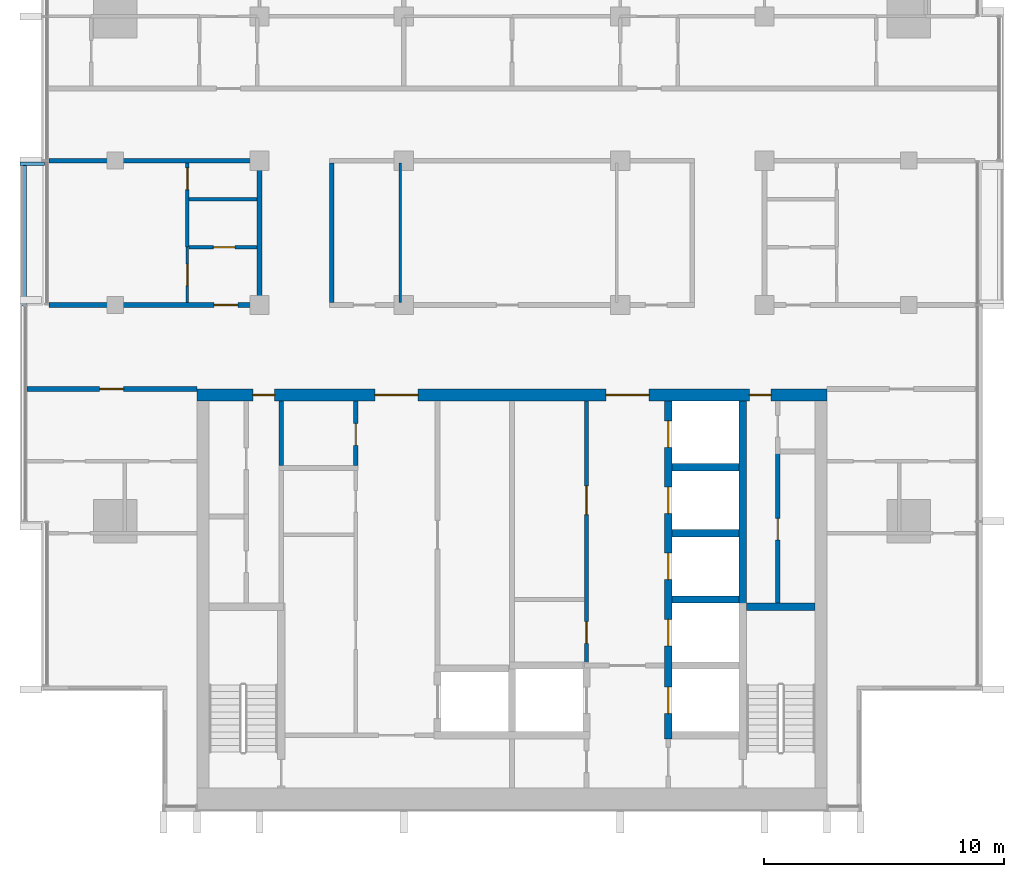
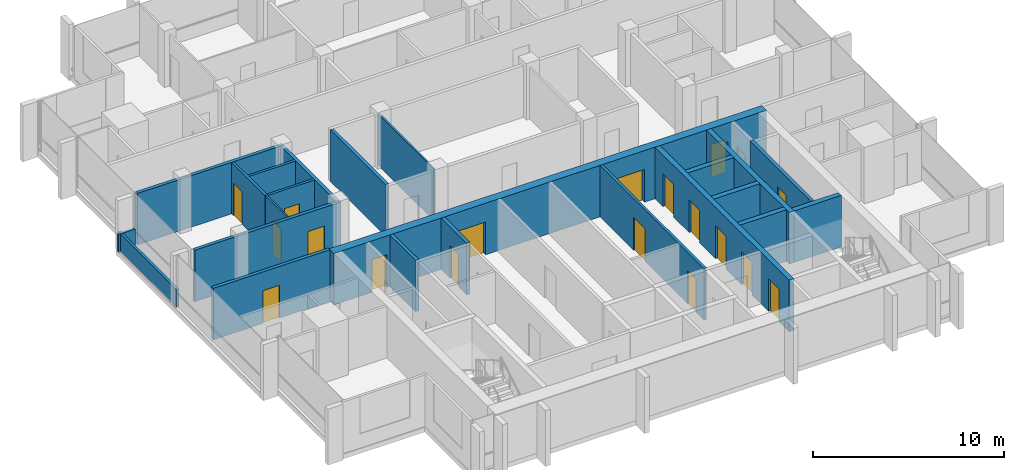
# One storey, part 8 of 16: 23 walls, 18 doors, 18 openings.
"""IFC4 building model written with IfcOpenShell, lengths in metres."""

from ifc_helpers import new_model, si_unit, direction, frame, frame_2d, origin, place, context, subcontext, project, spatial, rectangle, extrude, material, layer, layer_set, type_object, element, fill, save


model = new_model("IFC4")

# Units and contexts
model_context = context("Model", 3, precision=1e-05, world=origin(), true_north=direction((0.0, 1.0)))
body_context = subcontext(model_context, "Body", "Model", "MODEL_VIEW")
ifc_project = project(units=[si_unit("LENGTHUNIT", "METRE"), si_unit("AREAUNIT", "SQUARE_METRE"), si_unit("VOLUMEUNIT", "CUBIC_METRE"), si_unit("PLANEANGLEUNIT", "RADIAN"), si_unit("MASSUNIT", "GRAM", prefix="KILO")], contexts=[model_context])

# Site, building, storey
site_placement = place(None, origin())
site = spatial("IfcSite", under=ifc_project, at=site_placement, CompositionType="ELEMENT")
building_placement = place(site_placement, origin())
building = spatial("IfcBuilding", under=site, at=building_placement, Name="Finial Court Residences", CompositionType="ELEMENT")
storey_placement = place(building_placement, frame((0.0, 0.0, 287.89990234375)))
storey = spatial("IfcBuildingStorey", under=building, at=storey_placement, Name="L73", CompositionType="ELEMENT", Elevation=287.89990234375)

# Wall, openings, doors
ifc_material_1 = material(Name="Concrete C50/60", Category="concrete")
ifc_layer_1 = layer(ifc_material_1, 0.5)
ifc_layer_set_1 = layer_set([ifc_layer_1], Name="Core outer wall 500 Concrete C50/60")
wall_type_1 = type_object("IfcWallType", Name="Core outer wall 500 Concrete C50/60", PredefinedType="SHEAR", material=ifc_layer_set_1)
wall_1_placement = place(storey_placement, frame((-13.10009765625, -8.25, 0.0), z_axis=(0.0, 0.0, 1.0), x_axis=(1.0, 0.0, 0.0)))
wall_1 = element("IfcWall", 1, at=wall_1_placement, inside=storey, type_object=wall_type_1, Name="Core outer wall L73-02", PredefinedType="SHEAR", context=body_context, shape_type="SweptSolid", body=[
    extrude(rectangle(XDim=26.2001953125, YDim=0.5, at=frame_2d((13.10009765625, 0.0))), origin(), (0.0, 0.0, 1.0), 3.300048828125),
])
opening_1_placement = place(wall_1_placement, frame((7.39990234375, 0.0, 0.0)))
opening_1 = element("IfcOpeningElement", 2, at=opening_1_placement, cuts=wall_1, Name="Opening L73-C04", PredefinedType="OPENING", context=body_context, shape_type="SweptSolid", body=[
    extrude(rectangle(XDim=1.800048828125, YDim=2.10009765625, at=frame_2d((0.89990234375, 1.050048828125))), frame((0.0, 0.260009765625, 0.0), z_axis=(0.0, -1.0, 0.0), x_axis=(1.0, 0.0, 0.0)), (0.0, 0.0, 1.0), 0.52001953125),
])
opening_2_placement = place(wall_1_placement, frame((17.0, 0.0, 0.0)))
opening_2 = element("IfcOpeningElement", 3, at=opening_2_placement, cuts=wall_1, Name="Opening L73-C05", PredefinedType="OPENING", context=body_context, shape_type="SweptSolid", body=[
    extrude(rectangle(XDim=1.800048828125, YDim=2.10009765625, at=frame_2d((0.89990234375, 1.050048828125))), frame((0.0, 0.260009765625, 0.0), z_axis=(0.0, -1.0, 0.0), x_axis=(1.0, 0.0, 0.0)), (0.0, 0.0, 1.0), 0.52001953125),
])
opening_3_placement = place(wall_1_placement, frame((2.324951171875, 0.0, 0.0)))
opening_3 = element("IfcOpeningElement", 4, at=opening_3_placement, cuts=wall_1, Name="Opening L73-C11", PredefinedType="OPENING", context=body_context, shape_type="SweptSolid", body=[
    extrude(rectangle(XDim=0.89990234375, YDim=2.10009765625, at=frame_2d((0.449951171875, 1.050048828125))), frame((0.0, 0.260009765625, 0.0), z_axis=(0.0, -1.0, 0.0), x_axis=(1.0, 0.0, 0.0)), (0.0, 0.0, 1.0), 0.52001953125),
])
opening_4_placement = place(wall_1_placement, frame((22.97509765625, 0.0, 0.0)))
opening_4 = element("IfcOpeningElement", 5, at=opening_4_placement, cuts=wall_1, Name="Opening L73-C12", PredefinedType="OPENING", context=body_context, shape_type="SweptSolid", body=[
    extrude(rectangle(XDim=0.89990234375, YDim=2.10009765625, at=frame_2d((0.449951171875, 1.050048828125))), frame((0.0, 0.260009765625, 0.0), z_axis=(0.0, -1.0, 0.0), x_axis=(1.0, 0.0, 0.0)), (0.0, 0.0, 1.0), 0.52001953125),
])
ifc_material_2 = material(Name="Steel fire door", Category="steel")
door_type_1 = type_object("IfcDoorType", Name="Lift lobby door 1800 x 2100 EI 60", OperationType="DOUBLE_DOOR_SINGLE_SWING", PredefinedType="DOOR", material=ifc_material_2)
door_1_placement = place(opening_1_placement, origin())
door_1 = element("IfcDoor", 6, at=door_1_placement, inside=storey, type_object=door_type_1, Name="Lift lobby door L73-C04", OperationType="DOUBLE_DOOR_SINGLE_SWING", OverallHeight=2.10009765625, OverallWidth=1.800048828125, PredefinedType="DOOR", context=body_context, shape_type="SweptSolid", body=[
    extrude(rectangle(XDim=1.800048828125, YDim=2.10009765625, at=frame_2d((0.89990234375, 1.050048828125))), frame((0.0, 0.02490234375, 0.0), z_axis=(0.0, -1.0, 0.0), x_axis=(1.0, 0.0, 0.0)), (0.0, 0.0, 1.0), 0.050048828125),
])
fill(opening_1, door_1)
door_2_placement = place(opening_2_placement, origin())
door_2 = element("IfcDoor", 7, at=door_2_placement, inside=storey, type_object=door_type_1, Name="Lift lobby door L73-C05", OperationType="DOUBLE_DOOR_SINGLE_SWING", OverallHeight=2.10009765625, OverallWidth=1.800048828125, PredefinedType="DOOR", context=body_context, shape_type="SweptSolid", body=[
    extrude(rectangle(XDim=1.800048828125, YDim=2.10009765625, at=frame_2d((0.89990234375, 1.050048828125))), frame((0.0, 0.02490234375, 0.0), z_axis=(0.0, -1.0, 0.0), x_axis=(1.0, 0.0, 0.0)), (0.0, 0.0, 1.0), 0.050048828125),
])
fill(opening_2, door_2)
door_type_2 = type_object("IfcDoorType", Name="Riser room door 900 x 2100 EI 90", OperationType="NOTDEFINED", PredefinedType="DOOR", material=ifc_material_2)
door_3_placement = place(opening_3_placement, origin())
door_3 = element("IfcDoor", 8, at=door_3_placement, inside=storey, type_object=door_type_2, Name="Riser room door L73-C11", OperationType="SINGLE_SWING_RIGHT", OverallHeight=2.10009765625, OverallWidth=0.89990234375, PredefinedType="DOOR", context=body_context, shape_type="SweptSolid", body=[
    extrude(rectangle(XDim=0.89990234375, YDim=2.10009765625, at=frame_2d((0.449951171875, 1.050048828125))), frame((0.0, 0.02490234375, 0.0), z_axis=(0.0, -1.0, 0.0), x_axis=(1.0, 0.0, 0.0)), (0.0, 0.0, 1.0), 0.050048828125),
])
fill(opening_3, door_3)
door_4_placement = place(opening_4_placement, origin())
door_4 = element("IfcDoor", 9, at=door_4_placement, inside=storey, type_object=door_type_2, Name="Riser room door L73-C12", OperationType="SINGLE_SWING_LEFT", OverallHeight=2.10009765625, OverallWidth=0.89990234375, PredefinedType="DOOR", context=body_context, shape_type="SweptSolid", body=[
    extrude(rectangle(XDim=0.89990234375, YDim=2.10009765625, at=frame_2d((0.449951171875, 1.050048828125))), frame((0.0, 0.02490234375, 0.0), z_axis=(0.0, -1.0, 0.0), x_axis=(1.0, 0.0, 0.0)), (0.0, 0.0, 1.0), 0.050048828125),
])
fill(opening_4, door_4)

ifc_material_3 = material(Name="Fire-rated gypsum board partition")
ifc_layer_2 = layer(ifc_material_3, 0.14990234375)
ifc_layer_set_2 = layer_set([ifc_layer_2], Name="Core room partition 150 EI 60")
wall_type_2 = type_object("IfcWallType", Name="Core room partition 150 EI 60", PredefinedType="PARTITIONING", material=ifc_layer_set_2)
wall_2_placement = place(storey_placement, frame((3.10009765625, -19.39990234375, 0.0), z_axis=(0.0, 0.0, 1.0), x_axis=(0.0, 1.0, 0.0)))
wall_2 = element("IfcWall", 10, at=wall_2_placement, inside=storey, type_object=wall_type_2, Name="Core partition L73-32", PredefinedType="PARTITIONING", context=body_context, shape_type="SweptSolid", body=[
    extrude(rectangle(XDim=10.89990234375, YDim=0.14990234375, at=frame_2d((5.449951171875, 0.0))), origin(), (0.0, 0.0, 1.0), 3.300048828125),
])
opening_5_placement = place(wall_2_placement, frame((0.824951171875, 0.0, 0.0)))
opening_5 = element("IfcOpeningElement", 11, at=opening_5_placement, cuts=wall_2, Name="Opening L73-C17", PredefinedType="OPENING", context=body_context, shape_type="SweptSolid", body=[
    extrude(rectangle(XDim=0.89990234375, YDim=2.10009765625, at=frame_2d((0.449951171875, 1.050048828125))), frame((0.0, 0.0849609375, 0.0), z_axis=(0.0, -1.0, 0.0), x_axis=(1.0, 0.0, 0.0)), (0.0, 0.0, 1.0), 0.169921875),
])
opening_6_placement = place(wall_2_placement, frame((6.175048828125, 0.0, 0.0)))
opening_6 = element("IfcOpeningElement", 12, at=opening_6_placement, cuts=wall_2, Name="Opening L73-C18", PredefinedType="OPENING", context=body_context, shape_type="SweptSolid", body=[
    extrude(rectangle(XDim=1.199951171875, YDim=2.10009765625, at=frame_2d((0.60009765625, 1.050048828125))), frame((0.0, 0.0849609375, 0.0), z_axis=(0.0, -1.0, 0.0), x_axis=(1.0, 0.0, 0.0)), (0.0, 0.0, 1.0), 0.169921875),
])
door_type_3 = type_object("IfcDoorType", Name="Core room door 1200 x 2100 EI 60", OperationType="NOTDEFINED", PredefinedType="DOOR", material=ifc_material_2)
door_5_placement = place(opening_6_placement, origin())
door_5 = element("IfcDoor", 13, at=door_5_placement, inside=storey, type_object=door_type_3, Name="Core room door L73-C18", OperationType="SINGLE_SWING_LEFT", OverallHeight=2.10009765625, OverallWidth=1.199951171875, PredefinedType="DOOR", context=body_context, shape_type="SweptSolid", body=[
    extrude(rectangle(XDim=1.199951171875, YDim=2.10009765625, at=frame_2d((0.60009765625, 1.050048828125))), frame((0.0, 0.02490234375, 0.0), z_axis=(0.0, -1.0, 0.0), x_axis=(1.0, 0.0, 0.0)), (0.0, 0.0, 1.0), 0.050048828125),
])
fill(opening_6, door_5)
door_type_4 = type_object("IfcDoorType", Name="Core room door 900 x 2100 EI 60", OperationType="NOTDEFINED", PredefinedType="DOOR", material=ifc_material_2)
door_6_placement = place(opening_5_placement, origin())
door_6 = element("IfcDoor", 14, at=door_6_placement, inside=storey, type_object=door_type_4, Name="Core room door L73-C17", OperationType="SINGLE_SWING_LEFT", OverallHeight=2.10009765625, OverallWidth=0.89990234375, PredefinedType="DOOR", context=body_context, shape_type="SweptSolid", body=[
    extrude(rectangle(XDim=0.89990234375, YDim=2.10009765625, at=frame_2d((0.449951171875, 1.050048828125))), frame((0.0, 0.02490234375, 0.0), z_axis=(0.0, -1.0, 0.0), x_axis=(1.0, 0.0, 0.0)), (0.0, 0.0, 1.0), 0.050048828125),
])
fill(opening_5, door_6)

# Wall, opening, door
ifc_material_4 = material(Name="Gypsum board")
ifc_layer_3 = layer(ifc_material_4, 0.02490234375)
ifc_material_5 = material(Name="Acoustic mineral wool in double frame")
ifc_layer_4 = layer(ifc_material_5, 0.14990234375)
ifc_layer_5 = layer(ifc_material_4, 0.02490234375)
ifc_layer_set_3 = layer_set([ifc_layer_3, ifc_layer_4, ifc_layer_5], Name="Corridor wall 200, 1 hour")
wall_type_3 = type_object("IfcWallType", Name="Corridor wall 200, 1 hour", PredefinedType="PARTITIONING", material=ifc_layer_set_3)
wall_3_placement = place(storey_placement, frame((-20.16259765625, -8.0, 0.0), z_axis=(0.0, 0.0, 1.0), x_axis=(1.0, 0.0, 0.0)))
wall_3 = element("IfcWall", 15, at=wall_3_placement, inside=storey, type_object=wall_type_3, Name="Partition L73-004", PredefinedType="PARTITIONING", context=body_context, shape_type="SweptSolid", body=[
    extrude(rectangle(XDim=7.0625, YDim=0.199951171875, at=frame_2d((3.53125, 0.0))), origin(), (0.0, 0.0, 1.0), 3.300048828125),
])
opening_7_placement = place(wall_3_placement, frame((3.012939453125, 0.0, 0.0)))
opening_7 = element("IfcOpeningElement", 16, at=opening_7_placement, cuts=wall_3, Name="Opening L73-D007", PredefinedType="OPENING", context=body_context, shape_type="SweptSolid", body=[
    extrude(rectangle(XDim=1.0, YDim=2.10009765625, at=frame_2d((0.5, 1.050048828125))), frame((0.0, 0.10986328125, 0.0), z_axis=(0.0, -1.0, 0.0), x_axis=(1.0, 0.0, 0.0)), (0.0, 0.0, 1.0), 0.219970703125),
])
ifc_material_6 = material(Name="Timber door leaf in hollow metal frame", Category="wood")
door_type_5 = type_object("IfcDoorType", Name="Fire door set 1000 x 2100, 30 minutes", OperationType="SINGLE_SWING_LEFT", PredefinedType="DOOR", material=ifc_material_6)
door_7_placement = place(opening_7_placement, origin())
door_7 = element("IfcDoor", 17, at=door_7_placement, inside=storey, type_object=door_type_5, Name="Door L73-D007", OperationType="SINGLE_SWING_LEFT", OverallHeight=2.10009765625, OverallWidth=1.0, PredefinedType="DOOR", context=body_context, shape_type="SweptSolid", body=[
    extrude(rectangle(XDim=1.0, YDim=2.10009765625, at=frame_2d((0.5, 1.050048828125))), frame((0.0, 0.02490234375, 0.0), z_axis=(0.0, -1.0, 0.0), x_axis=(1.0, 0.0, 0.0)), (0.0, 0.0, 1.0), 0.050048828125),
])
fill(opening_7, door_7)

wall_4_placement = place(storey_placement, frame((-19.262451171875, -4.5, 0.0), z_axis=(0.0, 0.0, 1.0), x_axis=(1.0, 0.0, 0.0)))
wall_4 = element("IfcWall", 18, at=wall_4_placement, inside=storey, type_object=wall_type_3, Name="Partition L73-006", PredefinedType="PARTITIONING", context=body_context, shape_type="SweptSolid", body=[
    extrude(rectangle(XDim=8.862548828125, YDim=0.199951171875, at=frame_2d((4.43115234375, 0.0))), origin(), (0.0, 0.0, 1.0), 3.300048828125),
])
opening_8_placement = place(wall_4_placement, frame((6.862060546875, 0.0, 0.0)))
opening_8 = element("IfcOpeningElement", 19, at=opening_8_placement, cuts=wall_4, Name="Opening L73-D009", PredefinedType="OPENING", context=body_context, shape_type="SweptSolid", body=[
    extrude(rectangle(XDim=1.0, YDim=2.10009765625, at=frame_2d((0.5, 1.050048828125))), frame((0.0, 0.10986328125, 0.0), z_axis=(0.0, -1.0, 0.0), x_axis=(1.0, 0.0, 0.0)), (0.0, 0.0, 1.0), 0.219970703125),
])
door_8_placement = place(opening_8_placement, origin())
door_8 = element("IfcDoor", 20, at=door_8_placement, inside=storey, type_object=door_type_5, Name="Door L73-D009", OperationType="SINGLE_SWING_LEFT", OverallHeight=2.10009765625, OverallWidth=1.0, PredefinedType="DOOR", context=body_context, shape_type="SweptSolid", body=[
    extrude(rectangle(XDim=1.0, YDim=2.10009765625, at=frame_2d((0.5, 1.050048828125))), frame((0.0, 0.02490234375, 0.0), z_axis=(0.0, -1.0, 0.0), x_axis=(1.0, 0.0, 0.0)), (0.0, 0.0, 1.0), 0.050048828125),
])
fill(opening_8, door_8)

# Walls
wall_5_placement = place(storey_placement, frame((-19.262451171875, 1.5, 0.0), z_axis=(0.0, 0.0, 1.0), x_axis=(1.0, 0.0, 0.0)))
element("IfcWall", 21, at=wall_5_placement, inside=storey, type_object=wall_type_3, Name="Partition L73-013", PredefinedType="PARTITIONING", context=body_context, shape_type="SweptSolid", body=[
    extrude(rectangle(XDim=8.862548828125, YDim=0.199951171875, at=frame_2d((4.43115234375, 0.0))), origin(), (0.0, 0.0, 1.0), 3.300048828125),
])
for number, where, z_axis, x_axis, name in (
    (22, (-10.5, -4.39990234375, 0.0), (0.0, 0.0, 1.0), (0.0, 1.0, 0.0), "Partition L73-036"),
    (23, (-7.5, -4.39990234375, 0.0), (0.0, 0.0, 1.0), (0.0, 1.0, 0.0), "Partition L73-038"),
):
    element("IfcWall", number, at=place(storey_placement, frame(where, z_axis=z_axis, x_axis=x_axis)), inside=storey, type_object=wall_type_3, Name=name, PredefinedType="PARTITIONING", context=body_context, shape_type="SweptSolid", body=[
        extrude(rectangle(XDim=5.7998046875, YDim=0.199951171875, at=frame_2d((2.89990234375, 0.0))), origin(), (0.0, 0.0, 1.0), 3.300048828125),
    ])

# Wall, opening, door
ifc_layer_6 = layer(ifc_material_4, 0.012451171875)
ifc_material_7 = material(Name="Mineral wool in light-gauge frame")
ifc_layer_7 = layer(ifc_material_7, 0.074951171875)
ifc_layer_8 = layer(ifc_material_4, 0.012451171875)
ifc_layer_set_4 = layer_set([ifc_layer_6, ifc_layer_7, ifc_layer_8], Name="Gypsum board partition 100")
wall_type_4 = type_object("IfcWallType", Name="Gypsum board partition 100", PredefinedType="PARTITIONING", material=ifc_layer_set_4)
wall_6_placement = place(storey_placement, frame((-13.5, -4.39990234375, 0.0), z_axis=(0.0, 0.0, 1.0), x_axis=(0.0, 1.0, 0.0)))
wall_6 = element("IfcWall", 24, at=wall_6_placement, inside=storey, type_object=wall_type_4, Name="Partition L73-032", PredefinedType="PARTITIONING", context=body_context, shape_type="SweptSolid", body=[
    extrude(rectangle(XDim=2.2998046875, YDim=0.10009765625, at=frame_2d((1.14990234375, 0.0))), origin(), (0.0, 0.0, 1.0), 3.300048828125),
])
opening_9_placement = place(wall_6_placement, frame((0.699951171875, 0.0, 0.0)))
opening_9 = element("IfcOpeningElement", 25, at=opening_9_placement, cuts=wall_6, Name="Opening L73-D024", PredefinedType="OPENING", context=body_context, shape_type="SweptSolid", body=[
    extrude(rectangle(XDim=0.89990234375, YDim=2.10009765625, at=frame_2d((0.449951171875, 1.050048828125))), frame((0.0, 0.06005859375, 0.0), z_axis=(0.0, -1.0, 0.0), x_axis=(1.0, 0.0, 0.0)), (0.0, 0.0, 1.0), 0.1201171875),
])
ifc_material_8 = material(Name="Timber door leaf in timber frame", Category="wood")
door_type_6 = type_object("IfcDoorType", Name="Door set 900 x 2100", OperationType="SINGLE_SWING_LEFT", PredefinedType="DOOR", material=ifc_material_8)
door_9_placement = place(opening_9_placement, origin())
door_9 = element("IfcDoor", 26, at=door_9_placement, inside=storey, type_object=door_type_6, Name="Door L73-D024", OperationType="SINGLE_SWING_RIGHT", OverallHeight=2.10009765625, OverallWidth=0.89990234375, PredefinedType="DOOR", context=body_context, shape_type="SweptSolid", body=[
    extrude(rectangle(XDim=0.89990234375, YDim=2.10009765625, at=frame_2d((0.449951171875, 1.050048828125))), frame((0.0, 0.02490234375, 0.0), z_axis=(0.0, -1.0, 0.0), x_axis=(1.0, 0.0, 0.0)), (0.0, 0.0, 1.0), 0.050048828125),
])
fill(opening_9, door_9)

# Wall
wall_7_placement = place(storey_placement, frame((-4.64990234375, -4.39990234375, 0.0), z_axis=(0.0, 0.0, 1.0), x_axis=(0.0, 1.0, 0.0)))
element("IfcWall", 27, at=wall_7_placement, inside=storey, type_object=wall_type_4, Name="Partition L73-039", PredefinedType="PARTITIONING", context=body_context, shape_type="SweptSolid", body=[
    extrude(rectangle(XDim=5.7998046875, YDim=0.10009765625, at=frame_2d((2.89990234375, 0.0))), origin(), (0.0, 0.0, 1.0), 3.300048828125),
])

# Wall, opening, door
ifc_material_9 = material(Name="Moisture-resistant gypsum board")
ifc_layer_9 = layer(ifc_material_9, 0.012451171875)
ifc_layer_10 = layer(ifc_material_7, 0.125)
ifc_layer_11 = layer(ifc_material_9, 0.012451171875)
ifc_layer_set_5 = layer_set([ifc_layer_9, ifc_layer_10, ifc_layer_11], Name="Gypsum board wet-area partition 150")
wall_type_5 = type_object("IfcWallType", Name="Gypsum board wet-area partition 150", PredefinedType="PARTITIONING", material=ifc_layer_set_5)
wall_8_placement = place(storey_placement, frame((-13.425048828125, -2.10009765625, 0.0), z_axis=(0.0, 0.0, 1.0), x_axis=(1.0, 0.0, 0.0)))
wall_8 = element("IfcWall", 28, at=wall_8_placement, inside=storey, type_object=wall_type_5, Name="Partition L73-009", PredefinedType="PARTITIONING", context=body_context, shape_type="SweptSolid", body=[
    extrude(rectangle(XDim=2.824951171875, YDim=0.14990234375, at=frame_2d((1.41259765625, 0.0))), origin(), (0.0, 0.0, 1.0), 3.300048828125),
])
opening_10_placement = place(wall_8_placement, frame((1.0, 0.0, 0.0)))
opening_10 = element("IfcOpeningElement", 29, at=opening_10_placement, cuts=wall_8, Name="Opening L73-D014", PredefinedType="OPENING", context=body_context, shape_type="SweptSolid", body=[
    extrude(rectangle(XDim=0.89990234375, YDim=2.10009765625, at=frame_2d((0.449951171875, 1.050048828125))), frame((0.0, 0.0849609375, 0.0), z_axis=(0.0, -1.0, 0.0), x_axis=(1.0, 0.0, 0.0)), (0.0, 0.0, 1.0), 0.169921875),
])
door_10_placement = place(opening_10_placement, origin())
door_10 = element("IfcDoor", 30, at=door_10_placement, inside=storey, type_object=door_type_6, Name="Door L73-D014", OperationType="SINGLE_SWING_LEFT", OverallHeight=2.10009765625, OverallWidth=0.89990234375, PredefinedType="DOOR", context=body_context, shape_type="SweptSolid", body=[
    extrude(rectangle(XDim=0.89990234375, YDim=2.10009765625, at=frame_2d((0.449951171875, 1.050048828125))), frame((0.0, 0.02490234375, 0.0), z_axis=(0.0, -1.0, 0.0), x_axis=(1.0, 0.0, 0.0)), (0.0, 0.0, 1.0), 0.050048828125),
])
fill(opening_10, door_10)

# Wall
wall_9_placement = place(storey_placement, frame((-13.425048828125, -0.10009765625, 0.0), z_axis=(0.0, 0.0, 1.0), x_axis=(1.0, 0.0, 0.0)))
element("IfcWall", 31, at=wall_9_placement, inside=storey, type_object=wall_type_5, Name="Partition L73-011", PredefinedType="PARTITIONING", context=body_context, shape_type="SweptSolid", body=[
    extrude(rectangle(XDim=2.824951171875, YDim=0.14990234375, at=frame_2d((1.41259765625, 0.0))), origin(), (0.0, 0.0, 1.0), 3.300048828125),
])

# Wall, opening, door
wall_10_placement = place(storey_placement, frame((-13.5, -2.10009765625, 0.0), z_axis=(0.0, 0.0, 1.0), x_axis=(0.0, 1.0, 0.0)))
wall_10 = element("IfcWall", 32, at=wall_10_placement, inside=storey, type_object=wall_type_5, Name="Partition L73-033", PredefinedType="PARTITIONING", context=body_context, shape_type="SweptSolid", body=[
    extrude(rectangle(XDim=3.5, YDim=0.14990234375, at=frame_2d((1.75, 0.0))), origin(), (0.0, 0.0, 1.0), 3.300048828125),
])
opening_11_placement = place(wall_10_placement, frame((2.39990234375, 0.0, 0.0)))
opening_11 = element("IfcOpeningElement", 33, at=opening_11_placement, cuts=wall_10, Name="Opening L73-D025", PredefinedType="OPENING", context=body_context, shape_type="SweptSolid", body=[
    extrude(rectangle(XDim=0.89990234375, YDim=2.10009765625, at=frame_2d((0.449951171875, 1.050048828125))), frame((0.0, 0.0849609375, 0.0), z_axis=(0.0, -1.0, 0.0), x_axis=(1.0, 0.0, 0.0)), (0.0, 0.0, 1.0), 0.169921875),
])
door_11_placement = place(opening_11_placement, origin())
door_11 = element("IfcDoor", 34, at=door_11_placement, inside=storey, type_object=door_type_6, Name="Door L73-D025", OperationType="SINGLE_SWING_RIGHT", OverallHeight=2.10009765625, OverallWidth=0.89990234375, PredefinedType="DOOR", context=body_context, shape_type="SweptSolid", body=[
    extrude(rectangle(XDim=0.89990234375, YDim=2.10009765625, at=frame_2d((0.449951171875, 1.050048828125))), frame((0.0, 0.02490234375, 0.0), z_axis=(0.0, -1.0, 0.0), x_axis=(1.0, 0.0, 0.0)), (0.0, 0.0, 1.0), 0.050048828125),
])
fill(opening_11, door_11)

# Walls
ifc_material_10 = material(Name="Concrete C35/45", Category="concrete")
ifc_layer_12 = layer(ifc_material_10, 0.14990234375)
ifc_layer_set_6 = layer_set([ifc_layer_12], Name="Ledge parapet, Concrete C35/45 150")
wall_type_6 = type_object("IfcWallType", Name="Ledge parapet, Concrete C35/45 150", PredefinedType="PARAPET", material=ifc_layer_set_6)
wall_11_placement = place(storey_placement, frame((-20.46240234375, 1.375, 0.0), z_axis=(0.0, 0.0, 1.0), x_axis=(1.0, 0.0, 0.0)))
element("IfcWall", 35, at=wall_11_placement, inside=storey, type_object=wall_type_6, Name="E-L73-LED1-P1", PredefinedType="PARAPET", context=body_context, shape_type="SweptSolid", body=[
    extrude(rectangle(XDim=1.014892578125, YDim=0.14990234375, at=frame_2d((0.50732421875, 0.0))), origin(), (0.0, 0.0, 1.0), 1.150146484375),
])
wall_12_placement = place(storey_placement, frame((-20.27490234375, -4.552490234375, 0.0), z_axis=(0.0, 0.0, 1.0), x_axis=(0.0, 1.0, 0.0)))
element("IfcWall", 36, at=wall_12_placement, inside=storey, type_object=wall_type_6, Name="E-L73-LED1-P2", PredefinedType="PARAPET", context=body_context, shape_type="SweptSolid", body=[
    extrude(rectangle(XDim=6.114990234375, YDim=0.14990234375, at=frame_2d((3.0576171875, 0.0))), origin(), (0.0, 0.0, 1.0), 1.150146484375),
])
ifc_layer_13 = layer(ifc_material_1, 0.300048828125)
ifc_layer_set_7 = layer_set([ifc_layer_13], Name="Lift shaft and stair wall 300 Concrete C50/60")
wall_type_7 = type_object("IfcWallType", Name="Lift shaft and stair wall 300 Concrete C50/60", PredefinedType="SHEAR", material=ifc_layer_set_7)
wall_13_placement = place(storey_placement, frame((9.75, -17.050048828125, 0.0), z_axis=(0.0, 0.0, 1.0), x_axis=(1.0, 0.0, 0.0)))
element("IfcWall", 37, at=wall_13_placement, inside=storey, type_object=wall_type_7, Name="Core wall L73-09", PredefinedType="SHEAR", context=body_context, shape_type="SweptSolid", body=[
    extrude(rectangle(XDim=2.85009765625, YDim=0.300048828125, at=frame_2d((1.425048828125, 0.0))), origin(), (0.0, 0.0, 1.0), 3.300048828125),
])
for number, where, z_axis, x_axis, name in (
    (38, (6.64990234375, -16.75, 0.0), (0.0, 0.0, 1.0), (1.0, 0.0, 0.0), "Core wall L73-11"),
    (39, (6.64990234375, -14.0, 0.0), (0.0, 0.0, 1.0), (1.0, 0.0, 0.0), "Core wall L73-13"),
    (40, (6.64990234375, -11.25, 0.0), (0.0, 0.0, 1.0), (1.0, 0.0, 0.0), "Core wall L73-16"),
):
    element("IfcWall", number, at=place(storey_placement, frame(where, z_axis=z_axis, x_axis=x_axis)), inside=storey, type_object=wall_type_7, Name=name, PredefinedType="SHEAR", context=body_context, shape_type="SweptSolid", body=[
        extrude(rectangle(XDim=2.800048828125, YDim=0.300048828125, at=frame_2d((1.39990234375, 0.0))), origin(), (0.0, 0.0, 1.0), 3.300048828125),
    ])

# Wall, openings, doors
wall_14_placement = place(storey_placement, frame((6.5, -22.550048828125, 0.0), z_axis=(0.0, 0.0, 1.0), x_axis=(0.0, 1.0, 0.0)))
wall_14 = element("IfcWall", 41, at=wall_14_placement, inside=storey, type_object=wall_type_7, Name="Core wall L73-34", PredefinedType="SHEAR", context=body_context, shape_type="SweptSolid", body=[
    extrude(rectangle(XDim=14.050048828125, YDim=0.300048828125, at=frame_2d((7.02490234375, 0.0))), origin(), (0.0, 0.0, 1.0), 3.300048828125),
])
opening_12_placement = place(wall_14_placement, frame((1.050048828125, 0.0, 0.0)))
opening_12 = element("IfcOpeningElement", 42, at=opening_12_placement, cuts=wall_14, Name="Opening L73-LD02", PredefinedType="OPENING", context=body_context, shape_type="SweptSolid", body=[
    extrude(rectangle(XDim=1.10009765625, YDim=2.10009765625, at=frame_2d((0.550048828125, 1.050048828125))), frame((0.0, 0.159912109375, 0.0), z_axis=(0.0, -1.0, 0.0), x_axis=(1.0, 0.0, 0.0)), (0.0, 0.0, 1.0), 0.320068359375),
])
opening_13_placement = place(wall_14_placement, frame((3.875, 0.0, 0.0)))
opening_13 = element("IfcOpeningElement", 43, at=opening_13_placement, cuts=wall_14, Name="Opening L73-LD03", PredefinedType="OPENING", context=body_context, shape_type="SweptSolid", body=[
    extrude(rectangle(XDim=1.10009765625, YDim=2.10009765625, at=frame_2d((0.550048828125, 1.050048828125))), frame((0.0, 0.159912109375, 0.0), z_axis=(0.0, -1.0, 0.0), x_axis=(1.0, 0.0, 0.0)), (0.0, 0.0, 1.0), 0.320068359375),
])
opening_14_placement = place(wall_14_placement, frame((6.625, 0.0, 0.0)))
opening_14 = element("IfcOpeningElement", 44, at=opening_14_placement, cuts=wall_14, Name="Opening L73-LD04", PredefinedType="OPENING", context=body_context, shape_type="SweptSolid", body=[
    extrude(rectangle(XDim=1.10009765625, YDim=2.10009765625, at=frame_2d((0.550048828125, 1.050048828125))), frame((0.0, 0.159912109375, 0.0), z_axis=(0.0, -1.0, 0.0), x_axis=(1.0, 0.0, 0.0)), (0.0, 0.0, 1.0), 0.320068359375),
])
opening_15_placement = place(wall_14_placement, frame((9.375, 0.0, 0.0)))
opening_15 = element("IfcOpeningElement", 45, at=opening_15_placement, cuts=wall_14, Name="Opening L73-LD05", PredefinedType="OPENING", context=body_context, shape_type="SweptSolid", body=[
    extrude(rectangle(XDim=1.10009765625, YDim=2.10009765625, at=frame_2d((0.550048828125, 1.050048828125))), frame((0.0, 0.159912109375, 0.0), z_axis=(0.0, -1.0, 0.0), x_axis=(1.0, 0.0, 0.0)), (0.0, 0.0, 1.0), 0.320068359375),
])
opening_16_placement = place(wall_14_placement, frame((12.125, 0.0, 0.0)))
opening_16 = element("IfcOpeningElement", 46, at=opening_16_placement, cuts=wall_14, Name="Opening L73-LD06", PredefinedType="OPENING", context=body_context, shape_type="SweptSolid", body=[
    extrude(rectangle(XDim=1.10009765625, YDim=2.10009765625, at=frame_2d((0.550048828125, 1.050048828125))), frame((0.0, 0.159912109375, 0.0), z_axis=(0.0, -1.0, 0.0), x_axis=(1.0, 0.0, 0.0)), (0.0, 0.0, 1.0), 0.320068359375),
])
ifc_material_11 = material(Name="Stainless steel lift door", Category="steel")
door_type_7 = type_object("IfcDoorType", Name="Lift landing door 1100 x 2100 EI 90", OperationType="DOUBLE_DOOR_SLIDING", PredefinedType="DOOR", material=ifc_material_11)
door_12_placement = place(opening_12_placement, origin())
door_12 = element("IfcDoor", 47, at=door_12_placement, inside=storey, type_object=door_type_7, Name="Lift landing door FF2 L73", OperationType="DOUBLE_DOOR_SLIDING", OverallHeight=2.10009765625, OverallWidth=1.10009765625, PredefinedType="DOOR", context=body_context, shape_type="SweptSolid", body=[
    extrude(rectangle(XDim=1.10009765625, YDim=2.10009765625, at=frame_2d((0.550048828125, 1.050048828125))), frame((0.0, 0.02490234375, 0.0), z_axis=(0.0, -1.0, 0.0), x_axis=(1.0, 0.0, 0.0)), (0.0, 0.0, 1.0), 0.050048828125),
])
fill(opening_12, door_12)
door_13_placement = place(opening_13_placement, origin())
door_13 = element("IfcDoor", 48, at=door_13_placement, inside=storey, type_object=door_type_7, Name="Lift landing door HR5 L73", OperationType="DOUBLE_DOOR_SLIDING", OverallHeight=2.10009765625, OverallWidth=1.10009765625, PredefinedType="DOOR", context=body_context, shape_type="SweptSolid", body=[
    extrude(rectangle(XDim=1.10009765625, YDim=2.10009765625, at=frame_2d((0.550048828125, 1.050048828125))), frame((0.0, 0.02490234375, 0.0), z_axis=(0.0, -1.0, 0.0), x_axis=(1.0, 0.0, 0.0)), (0.0, 0.0, 1.0), 0.050048828125),
])
fill(opening_13, door_13)
door_14_placement = place(opening_14_placement, origin())
door_14 = element("IfcDoor", 49, at=door_14_placement, inside=storey, type_object=door_type_7, Name="Lift landing door HR6 L73", OperationType="DOUBLE_DOOR_SLIDING", OverallHeight=2.10009765625, OverallWidth=1.10009765625, PredefinedType="DOOR", context=body_context, shape_type="SweptSolid", body=[
    extrude(rectangle(XDim=1.10009765625, YDim=2.10009765625, at=frame_2d((0.550048828125, 1.050048828125))), frame((0.0, 0.02490234375, 0.0), z_axis=(0.0, -1.0, 0.0), x_axis=(1.0, 0.0, 0.0)), (0.0, 0.0, 1.0), 0.050048828125),
])
fill(opening_14, door_14)
door_15_placement = place(opening_15_placement, origin())
door_15 = element("IfcDoor", 50, at=door_15_placement, inside=storey, type_object=door_type_7, Name="Lift landing door HR7 L73", OperationType="DOUBLE_DOOR_SLIDING", OverallHeight=2.10009765625, OverallWidth=1.10009765625, PredefinedType="DOOR", context=body_context, shape_type="SweptSolid", body=[
    extrude(rectangle(XDim=1.10009765625, YDim=2.10009765625, at=frame_2d((0.550048828125, 1.050048828125))), frame((0.0, 0.02490234375, 0.0), z_axis=(0.0, -1.0, 0.0), x_axis=(1.0, 0.0, 0.0)), (0.0, 0.0, 1.0), 0.050048828125),
])
fill(opening_15, door_15)
door_16_placement = place(opening_16_placement, origin())
door_16 = element("IfcDoor", 51, at=door_16_placement, inside=storey, type_object=door_type_7, Name="Lift landing door HR8 L73", OperationType="DOUBLE_DOOR_SLIDING", OverallHeight=2.10009765625, OverallWidth=1.10009765625, PredefinedType="DOOR", context=body_context, shape_type="SweptSolid", body=[
    extrude(rectangle(XDim=1.10009765625, YDim=2.10009765625, at=frame_2d((0.550048828125, 1.050048828125))), frame((0.0, 0.02490234375, 0.0), z_axis=(0.0, -1.0, 0.0), x_axis=(1.0, 0.0, 0.0)), (0.0, 0.0, 1.0), 0.050048828125),
])
fill(opening_16, door_16)

# Walls
wall_15_placement = place(storey_placement, frame((9.60009765625, -17.199951171875, 0.0), z_axis=(0.0, 0.0, 1.0), x_axis=(0.0, 1.0, 0.0)))
element("IfcWall", 52, at=wall_15_placement, inside=storey, type_object=wall_type_7, Name="Core wall L73-36", PredefinedType="SHEAR", context=body_context, shape_type="SweptSolid", body=[
    extrude(rectangle(XDim=8.699951171875, YDim=0.300048828125, at=frame_2d((4.35009765625, 0.0))), origin(), (0.0, 0.0, 1.0), 3.300048828125),
])
ifc_layer_14 = layer(ifc_material_3, 0.199951171875)
ifc_layer_set_8 = layer_set([ifc_layer_14], Name="Riser room wall 200 EI 120")
wall_type_8 = type_object("IfcWallType", Name="Riser room wall 200 EI 120", PredefinedType="PARTITIONING", material=ifc_layer_set_8)
wall_16_placement = place(storey_placement, frame((-9.60009765625, -11.179931640625, 0.0), z_axis=(0.0, 0.0, 1.0), x_axis=(0.0, 1.0, 0.0)))
element("IfcWall", 53, at=wall_16_placement, inside=storey, type_object=wall_type_8, Name="Core partition L73-22", PredefinedType="PARTITIONING", context=body_context, shape_type="SweptSolid", body=[
    extrude(rectangle(XDim=2.679931640625, YDim=0.199951171875, at=frame_2d((1.33984375, 0.0))), origin(), (0.0, 0.0, 1.0), 3.300048828125),
])

# Wall, opening, door
wall_17_placement = place(storey_placement, frame((-6.5, -11.179931640625, 0.0), z_axis=(0.0, 0.0, 1.0), x_axis=(0.0, 1.0, 0.0)))
wall_17 = element("IfcWall", 54, at=wall_17_placement, inside=storey, type_object=wall_type_8, Name="Core partition L73-24", PredefinedType="PARTITIONING", context=body_context, shape_type="SweptSolid", body=[
    extrude(rectangle(XDim=2.679931640625, YDim=0.199951171875, at=frame_2d((1.33984375, 0.0))), origin(), (0.0, 0.0, 1.0), 3.300048828125),
])
opening_17_placement = place(wall_17_placement, frame((0.840087890625, 0.0, 0.0)))
opening_17 = element("IfcOpeningElement", 55, at=opening_17_placement, cuts=wall_17, Name="Opening L73-C09", PredefinedType="OPENING", context=body_context, shape_type="SweptSolid", body=[
    extrude(rectangle(XDim=0.89990234375, YDim=2.10009765625, at=frame_2d((0.449951171875, 1.050048828125))), frame((0.0, 0.10986328125, 0.0), z_axis=(0.0, -1.0, 0.0), x_axis=(1.0, 0.0, 0.0)), (0.0, 0.0, 1.0), 0.219970703125),
])
door_17_placement = place(opening_17_placement, origin())
door_17 = element("IfcDoor", 56, at=door_17_placement, inside=storey, type_object=door_type_2, Name="Riser room door L73-C09", OperationType="SINGLE_SWING_LEFT", OverallHeight=2.10009765625, OverallWidth=0.89990234375, PredefinedType="DOOR", context=body_context, shape_type="SweptSolid", body=[
    extrude(rectangle(XDim=0.89990234375, YDim=2.10009765625, at=frame_2d((0.449951171875, 1.050048828125))), frame((0.0, 0.02490234375, 0.0), z_axis=(0.0, -1.0, 0.0), x_axis=(1.0, 0.0, 0.0)), (0.0, 0.0, 1.0), 0.050048828125),
])
fill(opening_17, door_17)

ifc_layer_15 = layer(ifc_material_3, 0.199951171875)
ifc_layer_set_9 = layer_set([ifc_layer_15], Name="Stair passage wall 200 EI 180")
wall_type_9 = type_object("IfcWallType", Name="Stair passage wall 200 EI 180", PredefinedType="PARTITIONING", material=ifc_layer_set_9)
wall_18_placement = place(storey_placement, frame((11.050048828125, -10.5, 0.0), z_axis=(0.0, 0.0, 1.0), x_axis=(0.0, -1.0, 0.0)))
wall_18 = element("IfcWall", 57, at=wall_18_placement, inside=storey, type_object=wall_type_9, Name="Core partition L73-37", PredefinedType="PARTITIONING", context=body_context, shape_type="SweptSolid", body=[
    extrude(rectangle(XDim=6.39990234375, YDim=0.199951171875, at=frame_2d((3.199951171875, 0.0))), origin(), (0.0, 0.0, 1.0), 3.300048828125),
])
opening_18_placement = place(wall_18_placement, frame((2.875, 0.0, 0.0)))
opening_18 = element("IfcOpeningElement", 58, at=opening_18_placement, cuts=wall_18, Name="Opening L73-C14", PredefinedType="OPENING", context=body_context, shape_type="SweptSolid", body=[
    extrude(rectangle(XDim=0.89990234375, YDim=2.10009765625, at=frame_2d((0.449951171875, 1.050048828125))), frame((0.0, 0.10986328125, 0.0), z_axis=(0.0, -1.0, 0.0), x_axis=(1.0, 0.0, 0.0)), (0.0, 0.0, 1.0), 0.219970703125),
])
door_18_placement = place(opening_18_placement, origin())
door_18 = element("IfcDoor", 59, at=door_18_placement, inside=storey, type_object=door_type_4, Name="Core room door L73-C14", OperationType="SINGLE_SWING_LEFT", OverallHeight=2.10009765625, OverallWidth=0.89990234375, PredefinedType="DOOR", context=body_context, shape_type="SweptSolid", body=[
    extrude(rectangle(XDim=0.89990234375, YDim=2.10009765625, at=frame_2d((0.449951171875, 1.050048828125))), frame((0.0, 0.02490234375, 0.0), z_axis=(0.0, -1.0, 0.0), x_axis=(1.0, 0.0, 0.0)), (0.0, 0.0, 1.0), 0.050048828125),
])
fill(opening_18, door_18)

save(model, "model.ifc")
